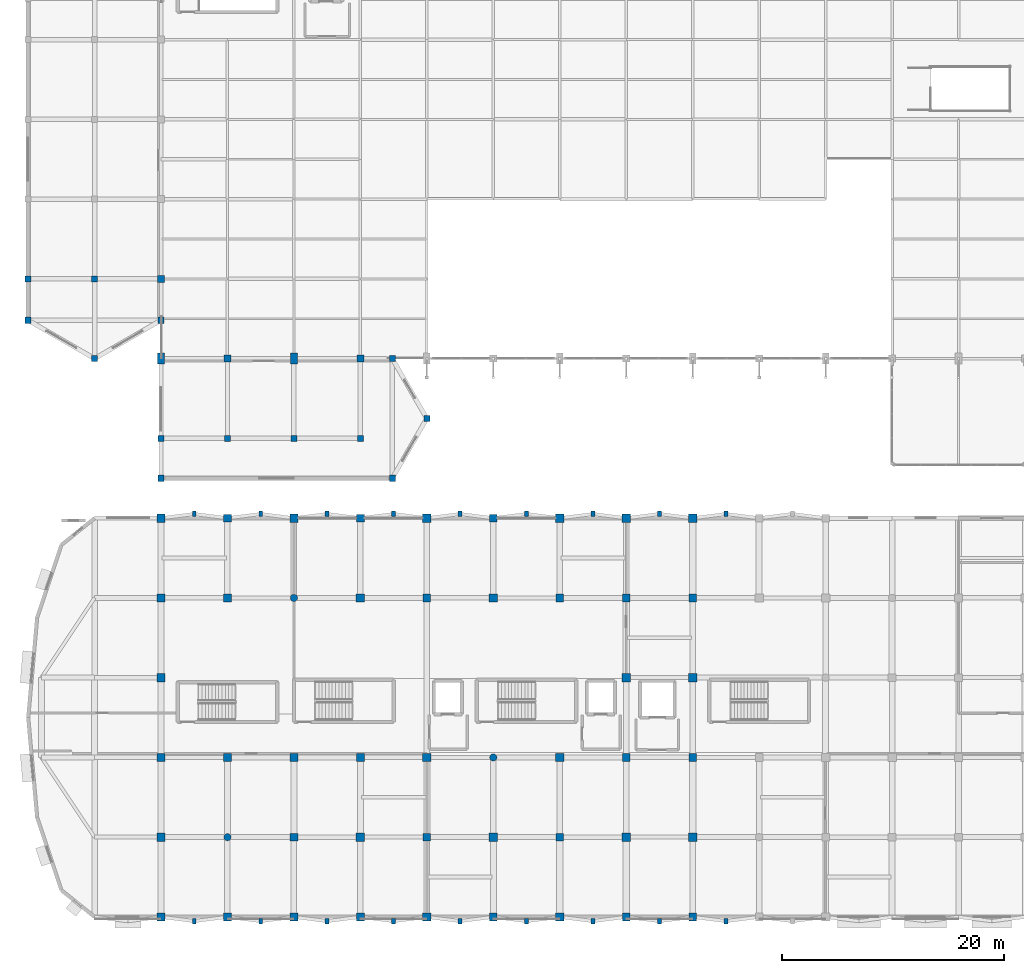
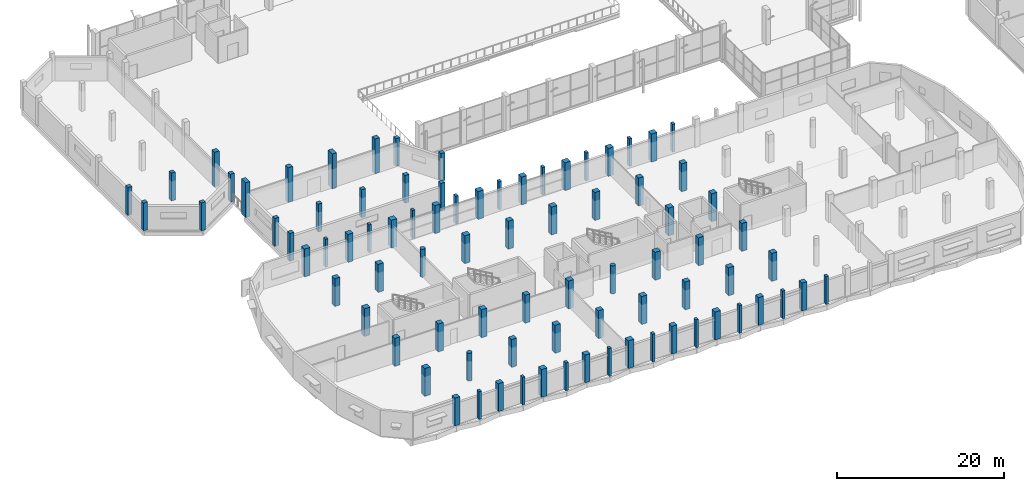
# One storey, part 1 of 127: 84 columns.
"""IFC4 building model written with IfcOpenShell, lengths in metres."""

from ifc_helpers import new_model, si_unit, direction, frame, origin, origin_2d, place, context, subcontext, project, spatial, rectangle, circle, extrude, material, material_profile, profile_set, type_object, element, save


model = new_model("IFC4")

# Units and contexts
model_context = context("Model", 3, precision=1e-05, world=origin(), true_north=direction((0.0, 1.0)))
body_context = subcontext(model_context, "Body", "Model", "MODEL_VIEW")
ifc_project = project(units=[si_unit("LENGTHUNIT", "METRE"), si_unit("AREAUNIT", "SQUARE_METRE"), si_unit("VOLUMEUNIT", "CUBIC_METRE"), si_unit("PLANEANGLEUNIT", "RADIAN"), si_unit("MASSUNIT", "GRAM", prefix="KILO")], contexts=[model_context])

# Site, building, storey
site_placement = place(None, origin())
site = spatial("IfcSite", under=ifc_project, at=site_placement, CompositionType="ELEMENT")
building_placement = place(site_placement, origin())
building = spatial("IfcBuilding", under=site, at=building_placement, Name="Dunvalen Ferry Terminal", CompositionType="ELEMENT")
storey_placement = place(building_placement, frame((0.0, 0.0, 5.760009765625)))
storey = spatial("IfcBuildingStorey", under=building, at=storey_placement, Name="L01", CompositionType="ELEMENT", Elevation=5.760009765625)

# Columns
ifc_material_1 = material(Name="Concrete C40/50", Category="concrete")
ifc_material_profile_1 = material_profile(ifc_material_1, circle(Radius=0.324951171875, at=origin_2d()), Name="Concrete C40/50")
ifc_profile_set_1 = profile_set([ifc_material_profile_1], Name="Concrete C40/50")
column_type_1 = type_object("IfcColumnType", Name="STR-COL-D650", PredefinedType="COLUMN", material=ifc_profile_set_1)
for number, where, z_axis, x_axis, name in (
    (1, (18.0, 7.199951171875, 0.0), (0.0, 0.0, 1.0), (1.0, 0.0, 0.0), "L01 Maritime Wing Column 014"),
    (2, (24.0, 28.800048828125, 0.0), (0.0, 0.0, 1.0), (1.0, 0.0, 0.0), "L01 Maritime Wing Column 021"),
    (3, (42.0, 14.39990234375, 0.0), (0.0, 0.0, 1.0), (1.0, 0.0, 0.0), "L01 Maritime Wing Column 035"),
):
    element("IfcColumn", number, at=place(storey_placement, frame(where, z_axis=z_axis, x_axis=x_axis)), inside=storey, type_object=column_type_1, Name=name, PredefinedType="COLUMN", context=body_context, shape_type="SweptSolid", body=[
        extrude(circle(Radius=0.324951171875, at=origin_2d()), origin(), (0.0, 0.0, 1.0), 4.080078125),
    ])
ifc_material_profile_2 = material_profile(ifc_material_1, rectangle(XDim=0.60009765625, YDim=1.0, at=origin_2d()), Name="Concrete C40/50")
ifc_profile_set_2 = profile_set([ifc_material_profile_2], Name="Concrete C40/50")
column_type_2 = type_object("IfcColumnType", Name="STR-COL-PIER1000", PredefinedType="COLUMN", material=ifc_profile_set_2)
for number, where, z_axis, x_axis, name in (
    (4, (12.0, 50.39990234375, 0.0), (0.0, 0.0, 1.0), (1.0, 0.0, 0.0), "L01 Departure Hall Upper Pier 01"),
    (5, (24.0, 50.39990234375, 0.0), (0.0, 0.0, 1.0), (1.0, 0.0, 0.0), "L01 Departure Hall Upper Pier 03"),
):
    element("IfcColumn", number, at=place(storey_placement, frame(where, z_axis=z_axis, x_axis=x_axis)), inside=storey, type_object=column_type_2, Name=name, PredefinedType="COLUMN", context=body_context, shape_type="SweptSolid", body=[
        extrude(rectangle(XDim=0.60009765625, YDim=1.0, at=origin_2d()), origin(), (0.0, 0.0, 1.0), 5.080078125),
    ])
ifc_material_2 = material(Name="Concrete C35/45", Category="concrete")
ifc_material_profile_3 = material_profile(ifc_material_2, rectangle(XDim=0.550048828125, YDim=0.550048828125, at=origin_2d()), Name="Concrete C35/45")
ifc_profile_set_3 = profile_set([ifc_material_profile_3], Name="Concrete C35/45")
column_type_3 = type_object("IfcColumnType", Name="STR-COL-RC550", PredefinedType="COLUMN", material=ifc_profile_set_3)
for number, where, z_axis, x_axis, name in (
    (6, (0.0, 53.864013671875, 0.0), (0.0, 0.0, 1.0), (1.0, 0.0, 0.0), "L01 West Baggage Annex Column 01"),
    (7, (0.0, 57.60009765625, 0.0), (0.0, 0.0, 1.0), (1.0, 0.0, 0.0), "L01 West Baggage Annex Column 02"),
    (8, (6.0, 50.39990234375, 0.0), (0.0, 0.0, 1.0), (1.0, 0.0, 0.0), "L01 West Baggage Annex Column 07"),
    (9, (6.0, 57.60009765625, 0.0), (0.0, 0.0, 1.0), (1.0, 0.0, 0.0), "L01 West Baggage Annex Column 08"),
    (10, (12.0, 53.864013671875, 0.0), (0.0, 0.0, 1.0), (1.0, 0.0, 0.0), "L01 West Baggage Annex Column 13"),
    (11, (12.0, 39.60009765625, 0.0), (0.0, 0.0, 1.0), (1.0, 0.0, 0.0), "L01 South-West Security Annex Column 01"),
    (12, (12.0, 43.199951171875, 0.0), (0.0, 0.0, 1.0), (1.0, 0.0, 0.0), "L01 South-West Security Annex Column 02"),
    (13, (18.0, 43.199951171875, 0.0), (0.0, 0.0, 1.0), (1.0, 0.0, 0.0), "L01 South-West Security Annex Column 04"),
    (14, (24.0, 43.199951171875, 0.0), (0.0, 0.0, 1.0), (1.0, 0.0, 0.0), "L01 South-West Security Annex Column 06"),
    (15, (30.0, 43.199951171875, 0.0), (0.0, 0.0, 1.0), (1.0, 0.0, 0.0), "L01 South-West Security Annex Column 08"),
    (16, (32.882080078125, 39.60009765625, 0.0), (0.0, 0.0, 1.0), (1.0, 0.0, 0.0), "L01 South-West Security Annex Column 10"),
    (17, (32.882080078125, 50.39990234375, 0.0), (0.0, 0.0, 1.0), (1.0, 0.0, 0.0), "L01 South-West Security Annex Column 11"),
    (18, (36.0, 45.0, 0.0), (0.0, 0.0, 1.0), (1.0, 0.0, 0.0), "L01 South-West Security Annex Column 12"),
):
    element("IfcColumn", number, at=place(storey_placement, frame(where, z_axis=z_axis, x_axis=x_axis)), inside=storey, type_object=column_type_3, Name=name, PredefinedType="COLUMN", context=body_context, shape_type="SweptSolid", body=[
        extrude(rectangle(XDim=0.550048828125, YDim=0.550048828125, at=origin_2d()), origin(), (0.0, 0.0, 1.0), 4.080078125),
    ])
ifc_material_profile_4 = material_profile(ifc_material_1, rectangle(XDim=0.64990234375, YDim=0.64990234375, at=origin_2d()), Name="Concrete C40/50")
ifc_profile_set_4 = profile_set([ifc_material_profile_4], Name="Concrete C40/50")
column_type_4 = type_object("IfcColumnType", Name="STR-COL-RC650", PredefinedType="COLUMN", material=ifc_profile_set_4)
for number, where, z_axis, x_axis, name in (
    (19, (18.0, 50.39990234375, 0.0), (0.0, 0.0, 1.0), (1.0, 0.0, 0.0), "L01 Departure Hall Upper Pier 02"),
    (20, (30.0, 50.39990234375, 0.0), (0.0, 0.0, 1.0), (1.0, 0.0, 0.0), "L01 Departure Hall Upper Pier 04"),
    (21, (12.0, 57.60009765625, 0.0), (0.0, 0.0, 1.0), (1.0, 0.0, 0.0), "L01 Departure Hall Upper Pier 31"),
):
    element("IfcColumn", number, at=place(storey_placement, frame(where, z_axis=z_axis, x_axis=x_axis)), inside=storey, type_object=column_type_4, Name=name, PredefinedType="COLUMN", context=body_context, shape_type="SweptSolid", body=[
        extrude(rectangle(XDim=0.64990234375, YDim=0.64990234375, at=origin_2d()), origin(), (0.0, 0.0, 1.0), 5.080078125),
    ])
ifc_material_profile_5 = material_profile(ifc_material_1, rectangle(XDim=0.699951171875, YDim=0.699951171875, at=origin_2d()), Name="Concrete C40/50")
ifc_profile_set_5 = profile_set([ifc_material_profile_5], Name="Concrete C40/50")
column_type_5 = type_object("IfcColumnType", Name="STR-COL-RC700", PredefinedType="COLUMN", material=ifc_profile_set_5)
for number, where, z_axis, x_axis, name in (
    (22, (12.0, 0.0, 0.0), (0.0, 0.0, 1.0), (1.0, 0.0, 0.0), "L01 Maritime Wing Column 007"),
    (23, (12.0, 14.39990234375, 0.0), (0.0, 0.0, 1.0), (1.0, 0.0, 0.0), "L01 Maritime Wing Column 009"),
    (24, (12.0, 28.800048828125, 0.0), (0.0, 0.0, 1.0), (1.0, 0.0, 0.0), "L01 Maritime Wing Column 011"),
    (25, (18.0, 0.0, 0.0), (0.0, 0.0, 1.0), (1.0, 0.0, 0.0), "L01 Maritime Wing Column 013"),
    (26, (18.0, 14.39990234375, 0.0), (0.0, 0.0, 1.0), (1.0, 0.0, 0.0), "L01 Maritime Wing Column 015"),
    (27, (18.0, 36.0, 0.0), (0.0, 0.0, 1.0), (1.0, 0.0, 0.0), "L01 Maritime Wing Column 017"),
    (28, (24.0, 7.199951171875, 0.0), (0.0, 0.0, 1.0), (1.0, 0.0, 0.0), "L01 Maritime Wing Column 019"),
    (29, (30.0, 0.0, 0.0), (0.0, 0.0, 1.0), (1.0, 0.0, 0.0), "L01 Maritime Wing Column 023"),
    (30, (30.0, 14.39990234375, 0.0), (0.0, 0.0, 1.0), (1.0, 0.0, 0.0), "L01 Maritime Wing Column 025"),
    (31, (30.0, 36.0, 0.0), (0.0, 0.0, 1.0), (1.0, 0.0, 0.0), "L01 Maritime Wing Column 027"),
    (32, (36.0, 7.199951171875, 0.0), (0.0, 0.0, 1.0), (1.0, 0.0, 0.0), "L01 Maritime Wing Column 029"),
    (33, (36.0, 28.800048828125, 0.0), (0.0, 0.0, 1.0), (1.0, 0.0, 0.0), "L01 Maritime Wing Column 031"),
    (34, (42.0, 0.0, 0.0), (0.0, 0.0, 1.0), (1.0, 0.0, 0.0), "L01 Maritime Wing Column 033"),
    (35, (42.0, 36.0, 0.0), (0.0, 0.0, 1.0), (1.0, 0.0, 0.0), "L01 Maritime Wing Column 037"),
    (36, (48.0, 7.199951171875, 0.0), (0.0, 0.0, 1.0), (1.0, 0.0, 0.0), "L01 Maritime Wing Column 039"),
    (37, (48.0, 28.800048828125, 0.0), (0.0, 0.0, 1.0), (1.0, 0.0, 0.0), "L01 Maritime Wing Column 041"),
    (38, (54.0, 0.0, 0.0), (0.0, 0.0, 1.0), (1.0, 0.0, 0.0), "L01 Maritime Wing Column 043"),
    (39, (54.0, 14.39990234375, 0.0), (0.0, 0.0, 1.0), (1.0, 0.0, 0.0), "L01 Maritime Wing Column 045"),
    (40, (54.0, 28.800048828125, 0.0), (0.0, 0.0, 1.0), (1.0, 0.0, 0.0), "L01 Maritime Wing Column 047"),
    (41, (60.0, 0.0, 0.0), (0.0, 0.0, 1.0), (1.0, 0.0, 0.0), "L01 Maritime Wing Column 049"),
    (42, (60.0, 14.39990234375, 0.0), (0.0, 0.0, 1.0), (1.0, 0.0, 0.0), "L01 Maritime Wing Column 051"),
    (43, (60.0, 28.800048828125, 0.0), (0.0, 0.0, 1.0), (1.0, 0.0, 0.0), "L01 Maritime Wing Column 053"),
):
    element("IfcColumn", number, at=place(storey_placement, frame(where, z_axis=z_axis, x_axis=x_axis)), inside=storey, type_object=column_type_5, Name=name, PredefinedType="COLUMN", context=body_context, shape_type="SweptSolid", body=[
        extrude(rectangle(XDim=0.699951171875, YDim=0.699951171875, at=origin_2d()), origin(), (0.0, 0.0, 1.0), 4.080078125),
    ])
ifc_material_profile_6 = material_profile(ifc_material_1, rectangle(XDim=0.75, YDim=0.75, at=origin_2d()), Name="Concrete C40/50")
ifc_profile_set_6 = profile_set([ifc_material_profile_6], Name="Concrete C40/50")
column_type_6 = type_object("IfcColumnType", Name="STR-COL-RC750", PredefinedType="COLUMN", material=ifc_profile_set_6)
for number, where, z_axis, x_axis, name in (
    (44, (12.0, 7.199951171875, 0.0), (0.0, 0.0, 1.0), (1.0, 0.0, 0.0), "L01 Maritime Wing Column 008"),
    (45, (12.0, 21.60009765625, 0.0), (0.0, 0.0, 1.0), (1.0, 0.0, 0.0), "L01 Maritime Wing Column 010"),
    (46, (12.0, 36.0, 0.0), (0.0, 0.0, 1.0), (1.0, 0.0, 0.0), "L01 Maritime Wing Column 012"),
    (47, (18.0, 28.800048828125, 0.0), (0.0, 0.0, 1.0), (1.0, 0.0, 0.0), "L01 Maritime Wing Column 016"),
    (48, (24.0, 0.0, 0.0), (0.0, 0.0, 1.0), (1.0, 0.0, 0.0), "L01 Maritime Wing Column 018"),
    (49, (24.0, 14.39990234375, 0.0), (0.0, 0.0, 1.0), (1.0, 0.0, 0.0), "L01 Maritime Wing Column 020"),
    (50, (24.0, 36.0, 0.0), (0.0, 0.0, 1.0), (1.0, 0.0, 0.0), "L01 Maritime Wing Column 022"),
    (51, (30.0, 7.199951171875, 0.0), (0.0, 0.0, 1.0), (1.0, 0.0, 0.0), "L01 Maritime Wing Column 024"),
    (52, (30.0, 28.800048828125, 0.0), (0.0, 0.0, 1.0), (1.0, 0.0, 0.0), "L01 Maritime Wing Column 026"),
    (53, (36.0, 0.0, 0.0), (0.0, 0.0, 1.0), (1.0, 0.0, 0.0), "L01 Maritime Wing Column 028"),
    (54, (36.0, 14.39990234375, 0.0), (0.0, 0.0, 1.0), (1.0, 0.0, 0.0), "L01 Maritime Wing Column 030"),
    (55, (36.0, 36.0, 0.0), (0.0, 0.0, 1.0), (1.0, 0.0, 0.0), "L01 Maritime Wing Column 032"),
    (56, (42.0, 7.199951171875, 0.0), (0.0, 0.0, 1.0), (1.0, 0.0, 0.0), "L01 Maritime Wing Column 034"),
    (57, (42.0, 28.800048828125, 0.0), (0.0, 0.0, 1.0), (1.0, 0.0, 0.0), "L01 Maritime Wing Column 036"),
    (58, (48.0, 0.0, 0.0), (0.0, 0.0, 1.0), (1.0, 0.0, 0.0), "L01 Maritime Wing Column 038"),
    (59, (48.0, 14.39990234375, 0.0), (0.0, 0.0, 1.0), (1.0, 0.0, 0.0), "L01 Maritime Wing Column 040"),
    (60, (48.0, 36.0, 0.0), (0.0, 0.0, 1.0), (1.0, 0.0, 0.0), "L01 Maritime Wing Column 042"),
    (61, (54.0, 7.199951171875, 0.0), (0.0, 0.0, 1.0), (1.0, 0.0, 0.0), "L01 Maritime Wing Column 044"),
    (62, (54.0, 21.60009765625, 0.0), (0.0, 0.0, 1.0), (1.0, 0.0, 0.0), "L01 Maritime Wing Column 046"),
    (63, (54.0, 36.0, 0.0), (0.0, 0.0, 1.0), (1.0, 0.0, 0.0), "L01 Maritime Wing Column 048"),
    (64, (60.0, 7.199951171875, 0.0), (0.0, 0.0, 1.0), (1.0, 0.0, 0.0), "L01 Maritime Wing Column 050"),
    (65, (60.0, 21.60009765625, 0.0), (0.0, 0.0, 1.0), (1.0, 0.0, 0.0), "L01 Maritime Wing Column 052"),
    (66, (60.0, 36.0, 0.0), (0.0, 0.0, 1.0), (1.0, 0.0, 0.0), "L01 Maritime Wing Column 054"),
):
    element("IfcColumn", number, at=place(storey_placement, frame(where, z_axis=z_axis, x_axis=x_axis)), inside=storey, type_object=column_type_6, Name=name, PredefinedType="COLUMN", context=body_context, shape_type="SweptSolid", body=[
        extrude(rectangle(XDim=0.75, YDim=0.75, at=origin_2d()), origin(), (0.0, 0.0, 1.0), 4.080078125),
    ])
ifc_material_profile_7 = material_profile(ifc_material_1, rectangle(XDim=0.35009765625, YDim=0.5, at=origin_2d()), Name="Concrete C40/50")
ifc_profile_set_7 = profile_set([ifc_material_profile_7], Name="Concrete C40/50")
column_type_7 = type_object("IfcColumnType", Name="STR-PIL-350x500", PredefinedType="PILASTER", material=ifc_profile_set_7)
for number, where, z_axis, x_axis, name in (
    (67, (15.0, -0.3798828125, 0.0), (0.0, 0.0, 1.0), (1.0, 0.0, 0.0), "L01 South Forecourt Pilaster 01"),
    (68, (21.0, -0.3798828125, 0.0), (0.0, 0.0, 1.0), (1.0, 0.0, 0.0), "L01 South Forecourt Pilaster 02"),
    (69, (27.0, -0.3798828125, 0.0), (0.0, 0.0, 1.0), (1.0, 0.0, 0.0), "L01 South Forecourt Pilaster 03"),
    (70, (33.0, -0.3798828125, 0.0), (0.0, 0.0, 1.0), (1.0, 0.0, 0.0), "L01 South Forecourt Pilaster 04"),
    (71, (39.0, -0.3798828125, 0.0), (0.0, 0.0, 1.0), (1.0, 0.0, 0.0), "L01 South Forecourt Pilaster 05"),
    (72, (45.0, -0.3798828125, 0.0), (0.0, 0.0, 1.0), (1.0, 0.0, 0.0), "L01 South Forecourt Pilaster 06"),
    (73, (51.0, -0.3798828125, 0.0), (0.0, 0.0, 1.0), (1.0, 0.0, 0.0), "L01 South Forecourt Pilaster 07"),
    (74, (57.0, -0.3798828125, 0.0), (0.0, 0.0, 1.0), (1.0, 0.0, 0.0), "L01 South Forecourt Pilaster 08"),
    (75, (63.0, -0.3798828125, 0.0), (0.0, 0.0, 1.0), (1.0, 0.0, 0.0), "L01 South Forecourt Pilaster 09"),
    (76, (15.0, 36.3798828125, 0.0), (0.0, 0.0, 1.0), (1.0, 0.0, 0.0), "L01 North Passage Pilaster 01"),
    (77, (21.0, 36.3798828125, 0.0), (0.0, 0.0, 1.0), (1.0, 0.0, 0.0), "L01 North Passage Pilaster 02"),
    (78, (27.0, 36.3798828125, 0.0), (0.0, 0.0, 1.0), (1.0, 0.0, 0.0), "L01 North Passage Pilaster 03"),
    (79, (33.0, 36.3798828125, 0.0), (0.0, 0.0, 1.0), (1.0, 0.0, 0.0), "L01 North Passage Pilaster 04"),
    (80, (39.0, 36.3798828125, 0.0), (0.0, 0.0, 1.0), (1.0, 0.0, 0.0), "L01 North Passage Pilaster 05"),
    (81, (45.0, 36.3798828125, 0.0), (0.0, 0.0, 1.0), (1.0, 0.0, 0.0), "L01 North Passage Pilaster 06"),
    (82, (51.0, 36.3798828125, 0.0), (0.0, 0.0, 1.0), (1.0, 0.0, 0.0), "L01 North Passage Pilaster 07"),
    (83, (57.0, 36.3798828125, 0.0), (0.0, 0.0, 1.0), (1.0, 0.0, 0.0), "L01 North Passage Pilaster 08"),
    (84, (63.0, 36.3798828125, 0.0), (0.0, 0.0, 1.0), (1.0, 0.0, 0.0), "L01 North Passage Pilaster 09"),
):
    element("IfcColumn", number, at=place(storey_placement, frame(where, z_axis=z_axis, x_axis=x_axis)), inside=storey, type_object=column_type_7, Name=name, PredefinedType="PILASTER", context=body_context, shape_type="SweptSolid", body=[
        extrude(rectangle(XDim=0.35009765625, YDim=0.5, at=origin_2d()), origin(), (0.0, 0.0, 1.0), 4.080078125),
    ])

save(model, "model.ifc")
